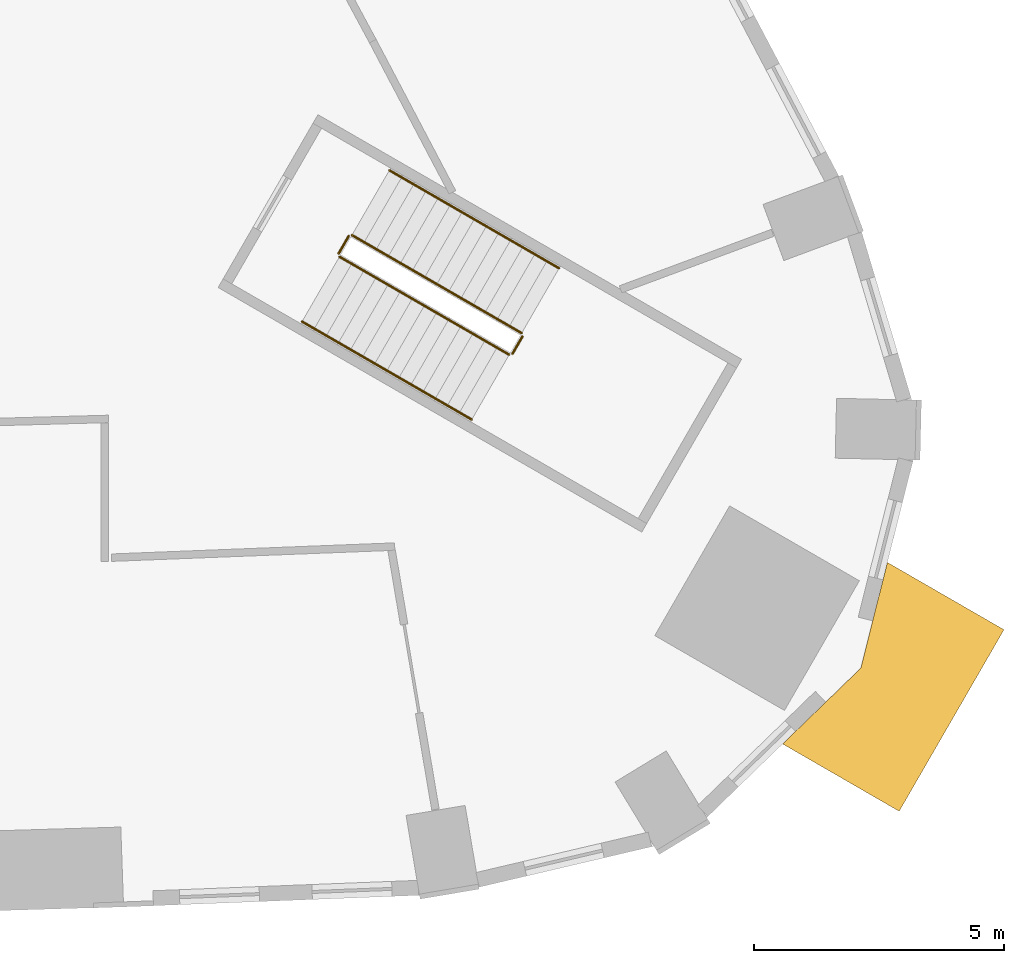
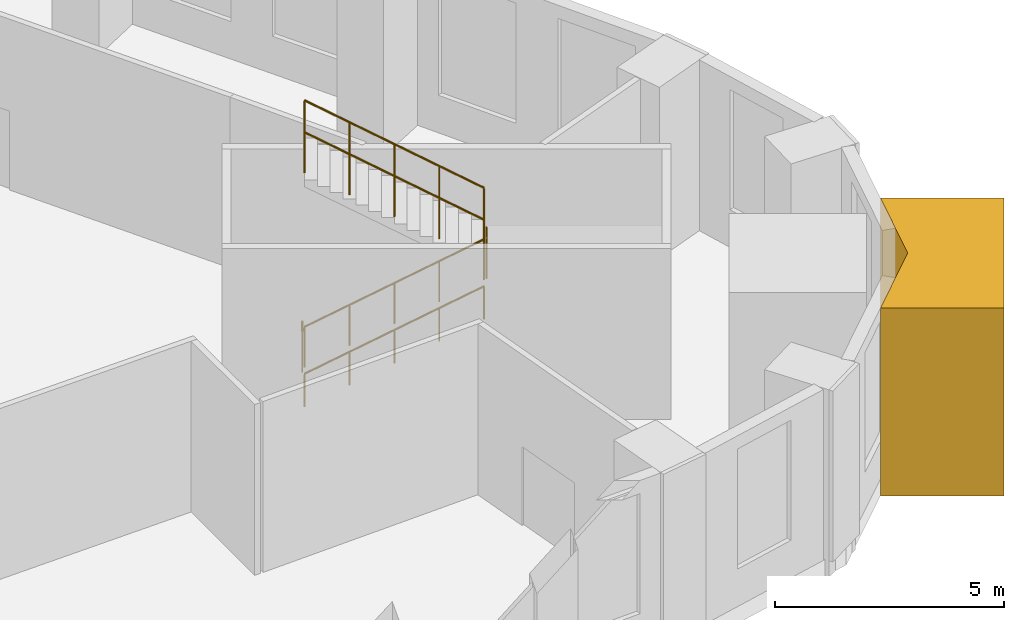
# One storey, part 15 of 16: 6 railings, 1 covering.
"""IFC4 building model written with IfcOpenShell, lengths in metres."""

import ifcopenshell
import ifcopenshell.guid

model = None  # the IFC model being written
_history = None  # IfcOwnerHistory: only IFC2X3 demands one
_inside = {}  # id of a spatial element -> (the spatial element, [elements in it])
_under = {}  # id of a project, library or spatial element -> (it, [spatial elements below it])
_declared = {}  # id of a project -> (the project, [libraries it declares])
_typed = {}  # id of a type object -> (the type object, [elements of that type])
_made_of = {}  # id of a material, layer set ... -> (it, [elements and type objects made of it])


def new_model(schema):
    """Start an empty IFC model of exactly this schema.

    Asked for "IFC4X3", IfcOpenShell would pick the latest addendum, in which some entities
    have other attributes; the version numbers below select the first issue.
    IFC2X3 requires an IfcOwnerHistory on every rooted entity: one is made here for all.
    """
    global model, _history
    if schema == "IFC4X3":
        model = ifcopenshell.file(schema_version=(4, 3, 0, 0))
    else:
        model = ifcopenshell.file(schema=schema)
    _inside.clear()
    _under.clear()
    _declared.clear()
    _typed.clear()
    _made_of.clear()
    _history = None
    if model.schema == "IFC2X3":
        org = make("IfcOrganization", Name="unknown")
        user = make(
            "IfcPersonAndOrganization",
            ThePerson=make("IfcPerson", FamilyName="unknown"),
            TheOrganization=org,
        )
        app = make(
            "IfcApplication",
            ApplicationDeveloper=org,
            Version="unknown",
            ApplicationFullName="unknown",
            ApplicationIdentifier="unknown",
        )
        _history = make(
            "IfcOwnerHistory",
            OwningUser=user,
            OwningApplication=app,
            ChangeAction="ADDED",
            CreationDate=0,
        )
    return model


def make(cls, **values):
    """One entity of the class cls with the attributes given. An attribute that is None is left unset."""
    return model.create_entity(
        cls, **{name: value for name, value in values.items() if value is not None}
    )


def rooted(cls, **values):
    """An entity with a GlobalId (a new one), such as an element, a storey or a relation."""
    return make(cls, GlobalId=ifcopenshell.guid.new(), OwnerHistory=_history, **values)


def si_unit(unit_type, name, prefix=None):
    """IfcSIUnit, for example si_unit("LENGTHUNIT", "METRE", prefix="MILLI")."""
    return make("IfcSIUnit", UnitType=unit_type, Prefix=prefix, Name=name)


def assignment(units):
    """IfcUnitAssignment: the units of a project."""
    return None if units is None else make("IfcUnitAssignment", Units=units)


def point(xyz):
    """IfcCartesianPoint."""
    return None if xyz is None else make("IfcCartesianPoint", Coordinates=xyz)


def direction(xyz):
    """IfcDirection."""
    return None if xyz is None else make("IfcDirection", DirectionRatios=xyz)


def frame(location, z_axis=None, x_axis=None):
    """IfcAxis2Placement3D, a coordinate frame: its origin and axes. An axis left out is left unset."""
    return make(
        "IfcAxis2Placement3D",
        Location=point(location),
        Axis=direction(z_axis),
        RefDirection=direction(x_axis),
    )


def frame_2d(location, x_axis=None):
    """IfcAxis2Placement2D, a coordinate frame in the plane: its origin and x axis."""
    return make(
        "IfcAxis2Placement2D", Location=point(location), RefDirection=direction(x_axis)
    )


def origin():
    """The frame at (0, 0, 0) with its axes left unset."""
    return frame((0.0, 0.0, 0.0))


def origin_2d():
    """The frame at (0, 0) in the plane with its x axis left unset."""
    return frame_2d((0.0, 0.0))


def place(relative_to, where):
    """IfcLocalPlacement: puts the frame where relative to a parent placement (None: the world)."""
    return make(
        "IfcLocalPlacement", PlacementRelTo=relative_to, RelativePlacement=where
    )


def context(
    kind, dimensions, precision=None, world=None, true_north=None, identifier=None
):
    """IfcGeometricRepresentationContext, for example the 3D "Model" context."""
    return make(
        "IfcGeometricRepresentationContext",
        ContextIdentifier=identifier,
        ContextType=kind,
        CoordinateSpaceDimension=dimensions,
        Precision=precision,
        WorldCoordinateSystem=world,
        TrueNorth=true_north,
    )


def subcontext(parent, identifier, kind, view, scale=None):
    """IfcGeometricRepresentationSubContext, for example "Body" below "Model"."""
    return make(
        "IfcGeometricRepresentationSubContext",
        ContextIdentifier=identifier,
        ContextType=kind,
        ParentContext=parent,
        TargetScale=scale,
        TargetView=view,
    )


def project(units=None, contexts=None):
    """IfcProject with its units and contexts."""
    return rooted(
        "IfcProject",
        Name="project",
        RepresentationContexts=contexts,
        UnitsInContext=assignment(units),
    )


def spatial(cls, under=None, at=None, **own):
    """A site, building, storey or space (cls), placed at a placement, below another one or the project."""
    s = rooted(cls, ObjectPlacement=at, **own)
    if under is not None:
        _under.setdefault(under.id(), (under, []))[1].append(s)
    return s


def polyline(points):
    """IfcPolyline through the points."""
    return make("IfcPolyline", Points=[point(p) for p in points])


def profile(cls, at=None, kind="AREA", **sizes):
    """A parametric profile (cls). Its sizes go by their IFC names, for example OverallWidth=200.0."""
    return make(cls, ProfileType=kind, Position=at, **sizes)


def circle(**sizes):
    """IfcCircleProfileDef."""
    return profile("IfcCircleProfileDef", **sizes)


def outline(outer, holes=None, kind="AREA"):
    """IfcArbitraryClosedProfileDef: a profile drawn as a closed curve; with holes, ...WithVoids."""
    if holes is None:
        return make("IfcArbitraryClosedProfileDef", ProfileType=kind, OuterCurve=outer)
    return make(
        "IfcArbitraryProfileDefWithVoids",
        ProfileType=kind,
        OuterCurve=outer,
        InnerCurves=holes,
    )


def extrude(swept, where, along, depth):
    """IfcExtrudedAreaSolid: the profile swept, set in the frame where, extruded along a direction by depth."""
    return make(
        "IfcExtrudedAreaSolid",
        SweptArea=swept,
        Position=where,
        ExtrudedDirection=direction(along),
        Depth=depth,
    )


def shape(context_of_items, identifier, shape_type, items):
    """IfcShapeRepresentation: the items that make up one representation, for example the "Body"."""
    return make(
        "IfcShapeRepresentation",
        ContextOfItems=context_of_items,
        RepresentationIdentifier=identifier,
        RepresentationType=shape_type,
        Items=items,
    )


def material(Name=None, Category=None):
    """IfcMaterial."""
    return make("IfcMaterial", Name=Name, Category=Category)


def made_of(thing, what):
    """Note that an element or type object is made of a material, layer set ...; save() writes the relation."""
    if what is not None:
        _made_of.setdefault(what.id(), (what, []))[1].append(thing)
    return thing


def type_object(cls, material=None, **own):
    """A type object (cls), such as IfcWallType, which elements share."""
    return made_of(rooted(cls, **own), material)


def element(
    cls,
    number,
    at=None,
    inside=None,
    cuts=None,
    type_object=None,
    material=None,
    context=None,
    identifier="Body",
    shape_type=None,
    held_by="IfcProductDefinitionShape",
    body=None,
    shapes=None,
    **own,
):
    """One element of the class cls, such as IfcWall. Its Tag is "e" and its number.

    at: its placement. inside: the storey or other place that contains it. cuts: it is an
    opening in that element (IfcRelVoidsElement). A single representation is given by context,
    identifier, shape_type and body (its items); several are given by shapes. held_by: the class
    of the entity that holds the representations. save() writes the other relations.
    """
    e = rooted(cls, Tag="e%d" % number, ObjectPlacement=at, **own)
    if body is not None:
        shapes = [shape(context, identifier, shape_type, body)]
    if shapes is not None:
        e.Representation = make(held_by, Representations=shapes)
    if inside is not None:
        _inside.setdefault(inside.id(), (inside, []))[1].append(e)
    if cuts is not None:
        rooted(
            "IfcRelVoidsElement", RelatingBuildingElement=cuts, RelatedOpeningElement=e
        )
    if type_object is not None:
        _typed.setdefault(type_object.id(), (type_object, []))[1].append(e)
    return made_of(e, material)


def aggregate(whole, parts):
    """IfcRelAggregates: a whole, such as a stair, and the parts it consists of."""
    return rooted("IfcRelAggregates", RelatingObject=whole, RelatedObjects=parts)


def save(model, path):
    """Write the relations noted so far, then the file.

    IfcRelAggregates (storeys below a building ...), IfcRelContainedInSpatialStructure (elements
    in a storey), IfcRelDefinesByType, IfcRelAssociatesMaterial and IfcRelDeclares: one each for
    every whole, place, type object, material and project.
    """
    for whole, parts in _under.values():
        aggregate(whole, parts)
    for where, things in _inside.values():
        rooted(
            "IfcRelContainedInSpatialStructure",
            RelatedElements=things,
            RelatingStructure=where,
        )
    for kind, things in _typed.values():
        rooted("IfcRelDefinesByType", RelatedObjects=things, RelatingType=kind)
    for what, things in _made_of.values():
        rooted("IfcRelAssociatesMaterial", RelatedObjects=things, RelatingMaterial=what)
    for by, libraries in _declared.values():
        rooted("IfcRelDeclares", RelatingContext=by, RelatedDefinitions=libraries)
    model.write(path)


model = new_model("IFC4")

# Units and contexts
model_context = context("Model", 3, precision=1e-05, world=origin(), true_north=direction((0.0, 1.0)))
body_context = subcontext(model_context, "Body", "Model", "MODEL_VIEW")
ifc_project = project(units=[si_unit("LENGTHUNIT", "METRE"), si_unit("AREAUNIT", "SQUARE_METRE"), si_unit("VOLUMEUNIT", "CUBIC_METRE"), si_unit("PLANEANGLEUNIT", "RADIAN"), si_unit("MASSUNIT", "GRAM", prefix="KILO")], contexts=[model_context])

# Site, building, storey
site_placement = place(None, origin())
site = spatial("IfcSite", under=ifc_project, at=site_placement, CompositionType="ELEMENT")
building_placement = place(site_placement, origin())
building = spatial("IfcBuilding", under=site, at=building_placement, Name="Entoto Arch Interchange Tower", CompositionType="ELEMENT")
storey_placement = place(building_placement, frame((0.0, 0.0, 20.0)))
storey = spatial("IfcBuildingStorey", under=building, at=storey_placement, Name="L03", CompositionType="ELEMENT", Elevation=20.0)

# Covering
ifc_material_1 = material(Name="Board-marked precast concrete C50/60", Category="concrete")
covering_type = type_object("IfcCoveringType", Name="PRECAST FRAME COURSE", PredefinedType="CLADDING", material=ifc_material_1)
covering_placement = place(storey_placement, frame((0.0, 0.0, -0.449951171875)))
element("IfcCovering", 1, at=covering_placement, inside=storey, type_object=covering_type, Name="Podium corner pier SE L03", PredefinedType="CLADDING", context=body_context, shape_type="SweptSolid", body=[
    extrude(outline(polyline([(41.916015625, -26.625), (39.580078125, -25.27587890625), (41.14697265625, -23.756103515625), (41.679931640625, -21.638916015625), (44.01611328125, -22.987060546875), (41.916015625, -26.625)])), origin(), (0.0, 0.0, 1.0), 5.0),
])

# Railings
ifc_material_2 = material(Name="Stainless steel 1.4301", Category="steel")
railing_type_1 = type_object("IfcRailingType", Name="STAIR GUARD 1100 STEEL", PredefinedType="GUARDRAIL", material=ifc_material_2)
railing_1_placement = place(storey_placement, frame((30.70556640625, -15.516357421875, 0.166748046875)))
element("IfcRailing", 2, at=railing_1_placement, inside=storey, type_object=railing_type_1, Name="L03 PST-SE stair guard 1", PredefinedType="GUARDRAIL", context=body_context, shape_type="SweptSolid", body=[
    extrude(circle(Radius=0.02392578125, at=origin_2d()), frame((0.0, 0.0, 1.076171875), z_axis=(0.744157560544, -0.429690115326, 0.511464495226), x_axis=(0.500044117093, 0.865999931271, 0.0)), (0.0, 0.0, 1.0), 4.56201171875),
    extrude(circle(Radius=0.02099609375, at=origin_2d()), origin(), (0.0, 0.0, 1.0), 1.052001953125),
    extrude(circle(Radius=0.02099609375, at=origin_2d()), frame((0.8486328125, -0.489990234375, 0.583251953125)), (0.0, 0.0, 1.0), 1.052001953125),
    extrude(circle(Radius=0.02099609375, at=origin_2d()), frame((1.697265625, -0.97998046875, 1.16650390625)), (0.0, 0.0, 1.0), 1.052001953125),
    extrude(circle(Radius=0.02099609375, at=origin_2d()), frame((2.546142578125, -1.47021484375, 1.75)), (0.0, 0.0, 1.0), 1.052001953125),
    extrude(circle(Radius=0.02099609375, at=origin_2d()), frame((3.394775390625, -1.960205078125, 2.333251953125)), (0.0, 0.0, 1.0), 1.052001953125),
])
railing_2_placement = place(storey_placement, frame((34.168701171875, -17.458251953125, 2.5)))
element("IfcRailing", 3, at=railing_2_placement, inside=storey, type_object=railing_type_1, Name="L03 PST-SE stair guard 2", PredefinedType="GUARDRAIL", context=body_context, shape_type="SweptSolid", body=[
    extrude(circle(Radius=0.02392578125, at=origin_2d()), frame((0.0, 0.0, 1.076171875), z_axis=(0.499880961361, 0.866094119867, 0.0), x_axis=(-0.866094119867, 0.499880961361, 0.0)), (0.0, 0.0, 1.0), 0.39990234375),
    extrude(circle(Radius=0.02099609375, at=origin_2d()), origin(), (0.0, 0.0, 1.0), 1.052001953125),
    extrude(circle(Radius=0.02099609375, at=origin_2d()), frame((0.199951171875, 0.346435546875, 0.0)), (0.0, 0.0, 1.0), 1.052001953125),
])
railing_3_placement = place(storey_placement, frame((34.350341796875, -17.04345703125, 2.666748046875)))
element("IfcRailing", 4, at=railing_3_placement, inside=storey, type_object=railing_type_1, Name="L03 PST-SE stair guard 3", PredefinedType="GUARDRAIL", context=body_context, shape_type="SweptSolid", body=[
    extrude(circle(Radius=0.02392578125, at=origin_2d()), frame((0.0, 0.0, 1.076171875), z_axis=(-0.744174672596, 0.429646477641, 0.511476256455), x_axis=(-0.499997407846, -0.86602690036, 0.0)), (0.0, 0.0, 1.0), 4.561767578125),
    extrude(circle(Radius=0.02099609375, at=origin_2d()), origin(), (0.0, 0.0, 1.0), 1.052001953125),
    extrude(circle(Radius=0.02099609375, at=origin_2d()), frame((-0.8486328125, 0.489990234375, 0.583251953125)), (0.0, 0.0, 1.0), 1.052001953125),
    extrude(circle(Radius=0.02099609375, at=origin_2d()), frame((-1.697265625, 0.97998046875, 1.16650390625)), (0.0, 0.0, 1.0), 1.052001953125),
    extrude(circle(Radius=0.02099609375, at=origin_2d()), frame((-2.546142578125, 1.469970703125, 1.75)), (0.0, 0.0, 1.0), 1.052001953125),
    extrude(circle(Radius=0.02099609375, at=origin_2d()), frame((-3.394775390625, 1.9599609375, 2.333251953125)), (0.0, 0.0, 1.0), 1.052001953125),
])
railing_4_placement = place(storey_placement, frame((30.687255859375, -15.4482421875, 0.0)))
element("IfcRailing", 5, at=railing_4_placement, inside=storey, type_object=railing_type_1, Name="L03 PST-SE stair guard 4", PredefinedType="GUARDRAIL", context=body_context, shape_type="SweptSolid", body=[
    extrude(circle(Radius=0.02392578125, at=origin_2d()), frame((0.0, 0.0, 1.076171875), z_axis=(0.499880961361, 0.866094119867, 0.0), x_axis=(-0.866094119867, 0.499880961361, 0.0)), (0.0, 0.0, 1.0), 0.39990234375),
    extrude(circle(Radius=0.02099609375, at=origin_2d()), origin(), (0.0, 0.0, 1.0), 1.052001953125),
    extrude(circle(Radius=0.02099609375, at=origin_2d()), frame((0.199951171875, 0.346435546875, 0.0)), (0.0, 0.0, 1.0), 1.052001953125),
])
railing_type_2 = type_object("IfcRailingType", Name="STAIR HANDRAIL 900 STEEL", PredefinedType="HANDRAIL", material=ifc_material_2)
railing_5_placement = place(storey_placement, frame((29.95556640625, -16.8154296875, 0.166748046875)))
element("IfcRailing", 6, at=railing_5_placement, inside=storey, type_object=railing_type_2, Name="L03 PST-SE stair handrail 1", PredefinedType="HANDRAIL", context=body_context, shape_type="SweptSolid", body=[
    extrude(circle(Radius=0.02392578125, at=origin_2d()), frame((0.0, 0.0, 0.8759765625), z_axis=(0.744174672596, -0.429646477641, 0.511476256455), x_axis=(0.499997407846, 0.86602690036, 0.0)), (0.0, 0.0, 1.0), 4.561767578125),
    extrude(circle(Radius=0.02099609375, at=origin_2d()), origin(), (0.0, 0.0, 1.0), 0.851806640625),
    extrude(circle(Radius=0.02099609375, at=origin_2d()), frame((0.8486328125, -0.489990234375, 0.583251953125)), (0.0, 0.0, 1.0), 0.851806640625),
    extrude(circle(Radius=0.02099609375, at=origin_2d()), frame((1.697265625, -0.97998046875, 1.16650390625)), (0.0, 0.0, 1.0), 0.851806640625),
    extrude(circle(Radius=0.02099609375, at=origin_2d()), frame((2.546142578125, -1.469970703125, 1.75)), (0.0, 0.0, 1.0), 0.851806640625),
    extrude(circle(Radius=0.02099609375, at=origin_2d()), frame((3.394775390625, -1.9599609375, 2.333251953125)), (0.0, 0.0, 1.0), 0.851806640625),
])
railing_6_placement = place(storey_placement, frame((35.100341796875, -15.744384765625, 2.666748046875)))
element("IfcRailing", 7, at=railing_6_placement, inside=storey, type_object=railing_type_2, Name="L03 PST-SE stair handrail 2", PredefinedType="HANDRAIL", context=body_context, shape_type="SweptSolid", body=[
    extrude(circle(Radius=0.02392578125, at=origin_2d()), frame((0.0, 0.0, 0.8759765625), z_axis=(-0.744174672596, 0.429646477641, 0.511476256455), x_axis=(-0.499997407846, -0.86602690036, 0.0)), (0.0, 0.0, 1.0), 4.561767578125),
    extrude(circle(Radius=0.02099609375, at=origin_2d()), origin(), (0.0, 0.0, 1.0), 0.851806640625),
    extrude(circle(Radius=0.02099609375, at=origin_2d()), frame((-0.8486328125, 0.489990234375, 0.583251953125)), (0.0, 0.0, 1.0), 0.851806640625),
    extrude(circle(Radius=0.02099609375, at=origin_2d()), frame((-1.697265625, 0.97998046875, 1.16650390625)), (0.0, 0.0, 1.0), 0.851806640625),
    extrude(circle(Radius=0.02099609375, at=origin_2d()), frame((-2.546142578125, 1.469970703125, 1.75)), (0.0, 0.0, 1.0), 0.851806640625),
    extrude(circle(Radius=0.02099609375, at=origin_2d()), frame((-3.394775390625, 1.9599609375, 2.333251953125)), (0.0, 0.0, 1.0), 0.851806640625),
])

save(model, "model.ifc")
